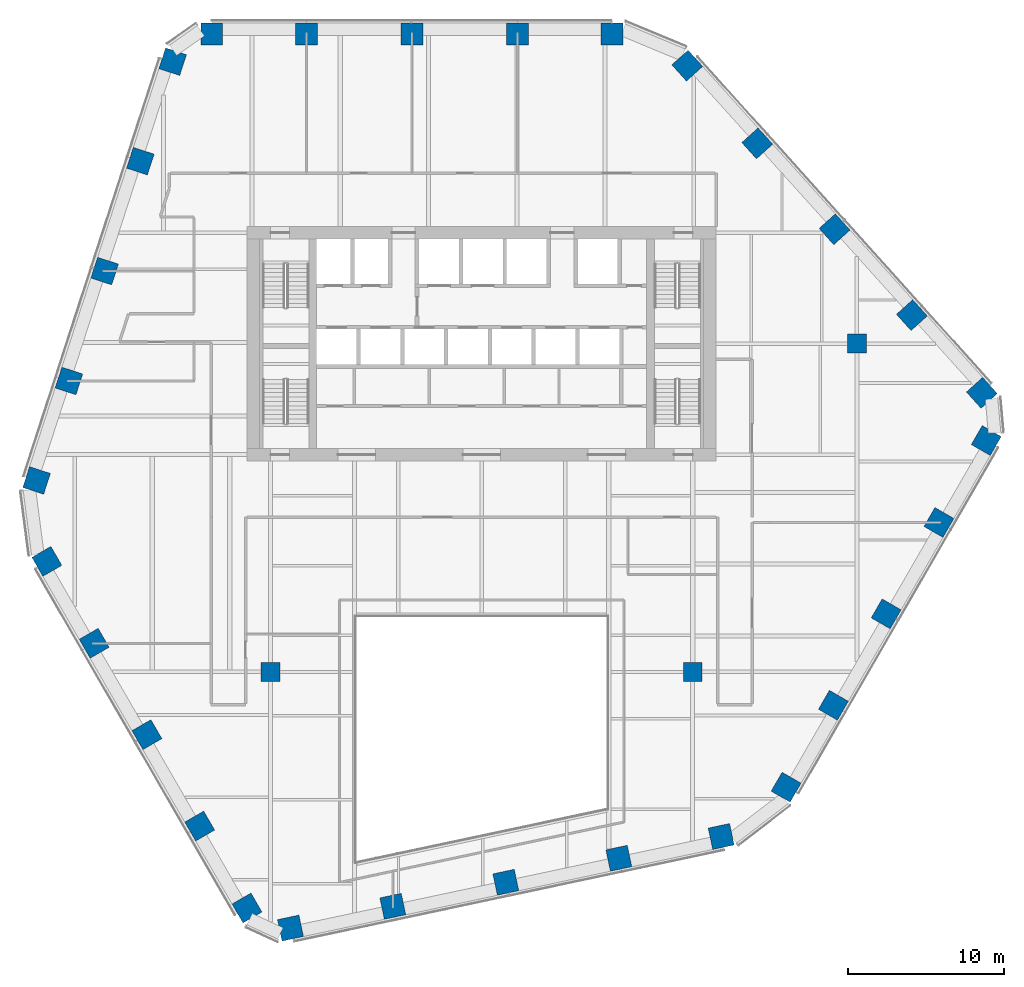
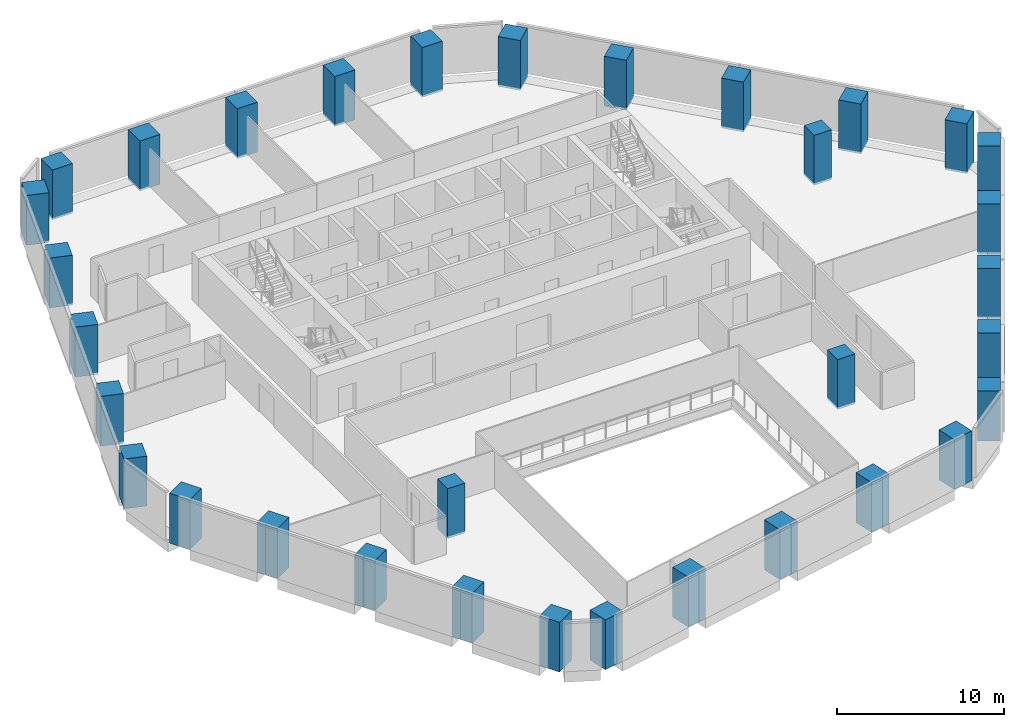
# One storey, part 1 of 16: 33 columns.
"""IFC4 building model written with IfcOpenShell, lengths in metres."""

from ifc_helpers import new_model, si_unit, direction, frame, origin, origin_2d, place, context, subcontext, project, spatial, rectangle, extrude, material, material_profile, profile_set, type_object, element, save


model = new_model("IFC4")

# Units and contexts
model_context = context("Model", 3, precision=1e-05, world=origin(), true_north=direction((0.0, 1.0)))
body_context = subcontext(model_context, "Body", "Model", "MODEL_VIEW")
ifc_project = project(units=[si_unit("LENGTHUNIT", "METRE"), si_unit("AREAUNIT", "SQUARE_METRE"), si_unit("VOLUMEUNIT", "CUBIC_METRE"), si_unit("PLANEANGLEUNIT", "RADIAN"), si_unit("MASSUNIT", "GRAM", prefix="KILO")], contexts=[model_context])

# Site, building, storey
site_placement = place(None, origin())
site = spatial("IfcSite", under=ifc_project, at=site_placement, CompositionType="ELEMENT")
building_placement = place(site_placement, origin())
building = spatial("IfcBuilding", under=site, at=building_placement, Name="Isthmus Gate Tower", CompositionType="ELEMENT")
storey_placement = place(building_placement, frame((0.0, 0.0, 151.699951171875)))
storey = spatial("IfcBuildingStorey", under=building, at=storey_placement, Name="L37", CompositionType="ELEMENT", Elevation=151.699951171875)

# Columns
ifc_material_1 = material(Name="Concrete f'c 60 MPa", Category="concrete")
ifc_material_profile_1 = material_profile(ifc_material_1, rectangle(XDim=1.199951171875, YDim=1.199951171875, at=origin_2d()), Name="RC 1200X1200")
ifc_profile_set_1 = profile_set([ifc_material_profile_1], Name="Concrete f'c 60 MPa")
column_type_1 = type_object("IfcColumnType", Name="RC INTERIOR COLUMN 1200 X 1200", PredefinedType="COLUMN", material=ifc_profile_set_1)
for number, where, z_axis, x_axis, name in (
    (1, (-13.5, -13.5, -0.14990234375), (0.0, 0.0, 1.0), (1.0, 0.0, 0.0), "str-icol-L37-ICB2"),
    (2, (13.5, -13.5, -0.14990234375), (0.0, 0.0, 1.0), (1.0, 0.0, 0.0), "str-icol-L37-ICD2"),
    (3, (24.0, 7.5, -0.14990234375), (0.0, 0.0, 1.0), (1.0, 0.0, 0.0), "str-icol-L37-ICE3"),
):
    element("IfcColumn", number, at=place(storey_placement, frame(where, z_axis=z_axis, x_axis=x_axis)), inside=storey, type_object=column_type_1, Name=name, PredefinedType="COLUMN", context=body_context, shape_type="SweptSolid", body=[
        extrude(rectangle(XDim=1.199951171875, YDim=1.199951171875, at=origin_2d()), origin(), (0.0, 0.0, 1.0), 3.64990234375),
    ])
ifc_material_2 = material(Name="Concrete f'c 60 MPa", Category="concrete")
ifc_material_profile_2 = material_profile(ifc_material_2, rectangle(XDim=1.39990234375, YDim=1.39990234375, at=origin_2d()), Name="RC 1400X1400")
ifc_profile_set_2 = profile_set([ifc_material_profile_2], Name="Concrete f'c 60 MPa")
column_type_2 = type_object("IfcColumnType", Name="RC TUBE COLUMN 1400 X 1400", PredefinedType="COLUMN", material=ifc_profile_set_2)
for number, where, z_axis, x_axis, name in (
    (4, (8.338623046875, 27.300048828125, -0.14990234375), (0.0, 0.0, 1.0), (-1.0, 0.0, 0.0), "str-tcol-L37-T2N0"),
    (5, (2.288330078125, 27.300048828125, -0.14990234375), (0.0, 0.0, 1.0), (-1.0, 0.0, 0.0), "str-tcol-L37-T2N1"),
    (6, (-4.461669921875, 27.300048828125, -0.14990234375), (0.0, 0.0, 1.0), (-1.0, 0.0, 0.0), "str-tcol-L37-T2N2"),
    (7, (-11.2119140625, 27.300048828125, -0.14990234375), (0.0, 0.0, 1.0), (-1.0, 0.0, 0.0), "str-tcol-L37-T2N3"),
    (8, (-17.261962890625, 27.300048828125, -0.14990234375), (0.0, 0.0, 1.0), (-1.0, 0.0, 0.0), "str-tcol-L37-T2N4"),
    (9, (-19.765380859375, 25.532958984375, -0.14990234375), (0.0, 0.0, 1.0), (-0.309016994375, -0.951056516295, 0.0), "str-tcol-L37-T2NW0"),
    (10, (-21.8330078125, 19.169677734375, -0.14990234375), (0.0, 0.0, 1.0), (-0.309016994375, -0.951056516295, 0.0), "str-tcol-L37-T2NW1"),
    (11, (-24.116943359375, 12.140625, -0.14990234375), (0.0, 0.0, 1.0), (-0.309016994375, -0.951056516295, 0.0), "str-tcol-L37-T2NW2"),
    (12, (-26.400634765625, 5.111328125, -0.14990234375), (0.0, 0.0, 1.0), (-0.309016994375, -0.951056516295, 0.0), "str-tcol-L37-T2NW3"),
    (13, (-28.46826171875, -1.251953125, -0.14990234375), (0.0, 0.0, 1.0), (-0.309016994375, -0.951056516295, 0.0), "str-tcol-L37-T2NW4"),
    (14, (-27.811767578125, -6.4287109375, -0.14990234375), (0.0, 0.0, 1.0), (0.5, -0.866025403784, 0.0), "str-tcol-L37-T2SW0"),
    (15, (-24.78662109375, -11.668212890625, -0.14990234375), (0.0, 0.0, 1.0), (0.5, -0.866025403784, 0.0), "str-tcol-L37-T2SW1"),
    (16, (-21.41162109375, -17.513916015625, -0.14990234375), (0.0, 0.0, 1.0), (0.5, -0.866025403784, 0.0), "str-tcol-L37-T2SW2"),
    (17, (-18.03662109375, -23.359619140625, -0.14990234375), (0.0, 0.0, 1.0), (0.5, -0.866025403784, 0.0), "str-tcol-L37-T2SW3"),
    (18, (-15.011474609375, -28.599365234375, -0.14990234375), (0.0, 0.0, 1.0), (0.5, -0.866025403784, 0.0), "str-tcol-L37-T2SW4"),
    (19, (-12.2294921875, -29.8837890625, -0.14990234375), (0.0, 0.0, 1.0), (0.978147600734, 0.207911690818, 0.0), "str-tcol-L37-T2S0"),
    (20, (-5.684814453125, -28.49267578125, -0.14990234375), (0.0, 0.0, 1.0), (0.978147600734, 0.207911690818, 0.0), "str-tcol-L37-T2S1"),
    (21, (1.54443359375, -26.9560546875, -0.14990234375), (0.0, 0.0, 1.0), (0.978147600734, 0.207911690818, 0.0), "str-tcol-L37-T2S2"),
    (22, (8.773681640625, -25.41943359375, -0.14990234375), (0.0, 0.0, 1.0), (0.978147600734, 0.207911690818, 0.0), "str-tcol-L37-T2S3"),
    (23, (15.318359375, -24.0283203125, -0.14990234375), (0.0, 0.0, 1.0), (0.978147600734, 0.207911690818, 0.0), "str-tcol-L37-T2S4"),
    (24, (19.47314453125, -20.871337890625, -0.14990234375), (0.0, 0.0, 1.0), (0.5, 0.866025403784, 0.0), "str-tcol-L37-T2SE0"),
    (25, (22.498291015625, -15.6318359375, -0.14990234375), (0.0, 0.0, 1.0), (0.5, 0.866025403784, 0.0), "str-tcol-L37-T2SE1"),
    (26, (25.873291015625, -9.7861328125, -0.14990234375), (0.0, 0.0, 1.0), (0.5, 0.866025403784, 0.0), "str-tcol-L37-T2SE2"),
    (27, (29.248291015625, -3.940185546875, -0.14990234375), (0.0, 0.0, 1.0), (0.5, 0.866025403784, 0.0), "str-tcol-L37-T2SE3"),
    (28, (32.2734375, 1.29931640625, -0.14990234375), (0.0, 0.0, 1.0), (0.5, 0.866025403784, 0.0), "str-tcol-L37-T2SE4"),
    (29, (31.994873046875, 4.350830078125, -0.14990234375), (0.0, 0.0, 1.0), (-0.669130606359, 0.743144825477, 0.0), "str-tcol-L37-T2NE0"),
    (30, (27.517822265625, 9.3232421875, -0.14990234375), (0.0, 0.0, 1.0), (-0.669130606359, 0.743144825477, 0.0), "str-tcol-L37-T2NE1"),
    (31, (22.572509765625, 14.815673828125, -0.14990234375), (0.0, 0.0, 1.0), (-0.669130606359, 0.743144825477, 0.0), "str-tcol-L37-T2NE2"),
    (32, (17.626953125, 20.30810546875, -0.14990234375), (0.0, 0.0, 1.0), (-0.669130606359, 0.743144825477, 0.0), "str-tcol-L37-T2NE3"),
    (33, (13.14990234375, 25.2802734375, -0.14990234375), (0.0, 0.0, 1.0), (-0.669130606359, 0.743144825477, 0.0), "str-tcol-L37-T2NE4"),
):
    element("IfcColumn", number, at=place(storey_placement, frame(where, z_axis=z_axis, x_axis=x_axis)), inside=storey, type_object=column_type_2, Name=name, PredefinedType="COLUMN", context=body_context, shape_type="SweptSolid", body=[
        extrude(rectangle(XDim=1.39990234375, YDim=1.39990234375, at=origin_2d()), origin(), (0.0, 0.0, 1.0), 3.64990234375),
    ])

save(model, "model.ifc")
